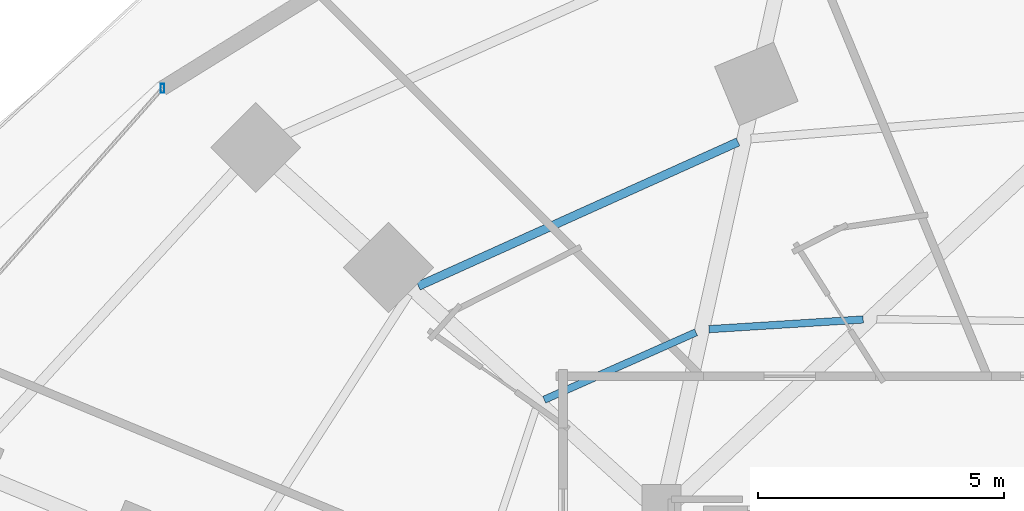
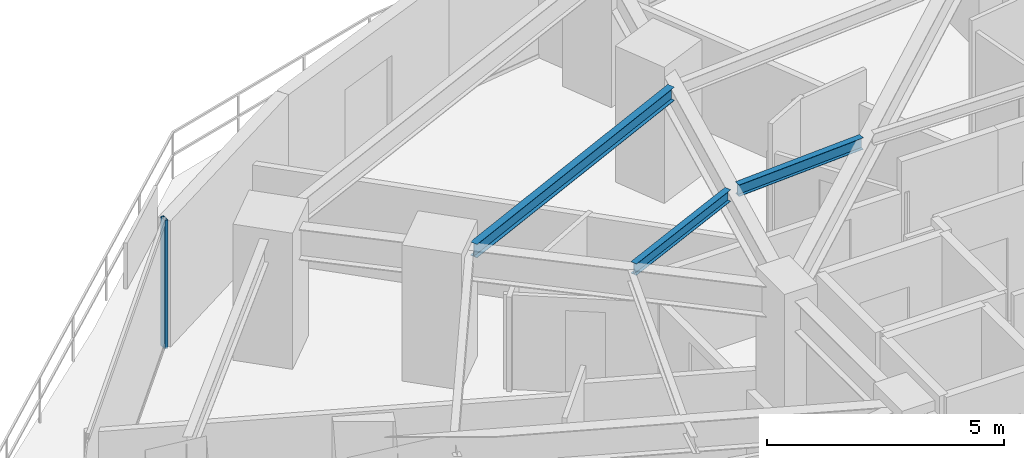
# One storey, part 20 of 36: 3 beams, 1 member, 1 element without a shape of its own.
"""IFC4 building model written with IfcOpenShell, lengths in metres."""

from ifc_helpers import new_model, si_unit, direction, frame, origin, origin_2d, place, context, subcontext, project, spatial, hollow_rectangle, i_section, extrude, material, material_profile, profile_set, type_object, element, aggregate, save


model = new_model("IFC4")

# Units and contexts
model_context = context("Model", 3, precision=1e-05, world=origin(), true_north=direction((0.0, 1.0)))
body_context = subcontext(model_context, "Body", "Model", "MODEL_VIEW")
ifc_project = project(units=[si_unit("LENGTHUNIT", "METRE"), si_unit("AREAUNIT", "SQUARE_METRE"), si_unit("VOLUMEUNIT", "CUBIC_METRE"), si_unit("PLANEANGLEUNIT", "RADIAN"), si_unit("MASSUNIT", "GRAM", prefix="KILO")], contexts=[model_context])

# Site, building, storey
site_placement = place(None, origin())
site = spatial("IfcSite", under=ifc_project, at=site_placement, CompositionType="ELEMENT")
building_placement = place(site_placement, origin())
building = spatial("IfcBuilding", under=site, at=building_placement, Name="Vorneva Point Tower", CompositionType="ELEMENT")
storey_placement = place(building_placement, frame((0.0, 0.0, 24.0)))
storey = spatial("IfcBuildingStorey", under=building, at=storey_placement, Name="L05", CompositionType="ELEMENT", Elevation=24.0)

# Beams
ifc_material_1 = material(Name="Steel S355", Category="steel")
ifc_material_profile_1 = material_profile(ifc_material_1, i_section(OverallWidth=0.14892578125, OverallDepth=0.298095703125, WebThickness=0.005615234375, FlangeThickness=0.008056640625, at=origin_2d()), Name="30B1")
ifc_profile_set_1 = profile_set([ifc_material_profile_1], Name="Steel S355")
beam_type_1 = type_object("IfcBeamType", Name="BM-JST-30B1", PredefinedType="JOIST", material=ifc_profile_set_1)
beam_1_placement = place(storey_placement, frame((31.350830078125, 37.10400390625, 3.091064453125), z_axis=(-0.998022533486, -0.062857160731, 0.0), x_axis=(0.062857160731, -0.998022533486, 0.0)))
element("IfcBeam", 1, at=beam_1_placement, inside=storey, type_object=beam_type_1, Name="L05 Secondary Floor Beam 2.05", PredefinedType="JOIST", context=body_context, shape_type="SweptSolid", body=[
    extrude(i_section(OverallWidth=0.14892578125, OverallDepth=0.298095703125, WebThickness=0.005615234375, FlangeThickness=0.008056640625, at=origin_2d()), origin(), (0.0, 0.0, 1.0), 3.14208984375),
])
beam_2_placement = place(storey_placement, frame((27.951171875, 36.842041015625, 3.091064453125), z_axis=(-0.913898046964, -0.40594378891, 0.0), x_axis=(0.40594378891, -0.913898046964, 0.0)))
element("IfcBeam", 2, at=beam_2_placement, inside=storey, type_object=beam_type_1, Name="L05 Secondary Floor Beam 2.06", PredefinedType="JOIST", context=body_context, shape_type="SweptSolid", body=[
    extrude(i_section(OverallWidth=0.14892578125, OverallDepth=0.298095703125, WebThickness=0.005615234375, FlangeThickness=0.008056640625, at=origin_2d()), origin(), (0.0, 0.0, 1.0), 3.37451171875),
])
ifc_material_profile_2 = material_profile(ifc_material_1, i_section(OverallWidth=0.174072265625, OverallDepth=0.345947265625, WebThickness=0.006103515625, FlangeThickness=0.009033203125, at=origin_2d()), Name="35B1")
ifc_profile_set_2 = profile_set([ifc_material_profile_2], Name="Steel S355")
beam_type_2 = type_object("IfcBeamType", Name="BM-SEC-35B1", PredefinedType="BEAM", material=ifc_profile_set_2)
beam_3_placement = place(storey_placement, frame((28.805908203125, 40.712646484375, 3.06689453125), z_axis=(-0.911588519067, -0.411103845646, 0.0), x_axis=(0.411103845646, -0.911588519067, 0.0)))
element("IfcBeam", 3, at=beam_3_placement, inside=storey, type_object=beam_type_2, Name="L05 Secondary Floor Beam 1.06", PredefinedType="BEAM", context=body_context, shape_type="SweptSolid", body=[
    extrude(i_section(OverallWidth=0.174072265625, OverallDepth=0.345947265625, WebThickness=0.006103515625, FlangeThickness=0.009033203125, at=origin_2d()), origin(), (0.0, 0.0, 1.0), 7.12646484375),
])

# Curtain wall, member
ifc_material_2 = material(Name="Pale anodised aluminium", Category="aluminium")
curtain_wall_type = type_object("IfcCurtainWallType", Name="CW-HTL-SYS", PredefinedType="NOTDEFINED", material=ifc_material_2)
curtain_wall_placement = place(storey_placement, origin())
curtain_wall = element("IfcCurtainWall", 4, at=curtain_wall_placement, inside=storey, type_object=curtain_wall_type, Name="L05 Unitised Curtain Wall CW-L05-R03", PredefinedType="NOTDEFINED")
ifc_material_profile_3 = material_profile(ifc_material_2, hollow_rectangle(XDim=0.074951171875, YDim=0.179931640625, WallThickness=0.00390625, at=origin_2d()), Name="AL-MUL 180x75x4")
ifc_profile_set_3 = profile_set([ifc_material_profile_3], Name="Pale anodised aluminium")
member_type = type_object("IfcMemberType", Name="CW-MUL-180", PredefinedType="MULLION", material=ifc_profile_set_3)
member_placement = place(storey_placement, frame((17.10498046875, 41.8037109375, -0.0400390625), z_axis=(0.0, 0.0, 1.0), x_axis=(1.0, 0.0, 0.0)))
member = element("IfcMember", 5, at=member_placement, type_object=member_type, Name="CW-L05-R03 Mullion 01", PredefinedType="MULLION", context=body_context, shape_type="SweptSolid", body=[
    extrude(hollow_rectangle(XDim=0.074951171875, YDim=0.179931640625, WallThickness=0.00390625, at=origin_2d()), origin(), (0.0, 0.0, 1.0), 3.31005859375),
])
aggregate(curtain_wall, [member])

save(model, "model.ifc")
